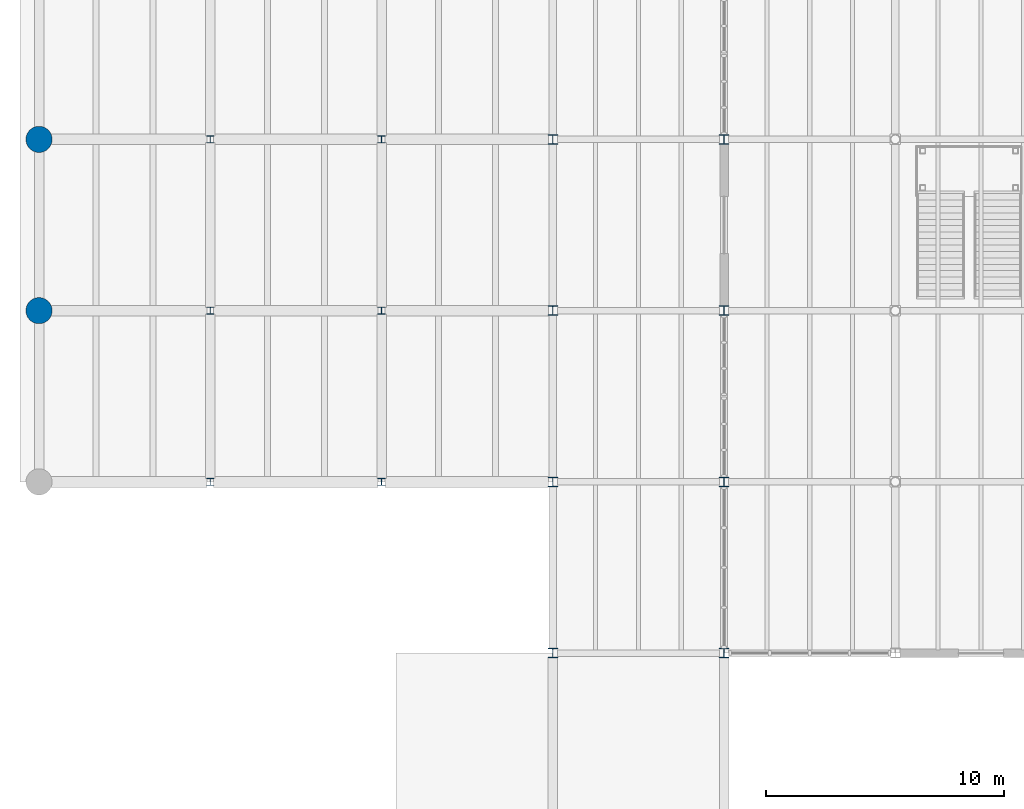
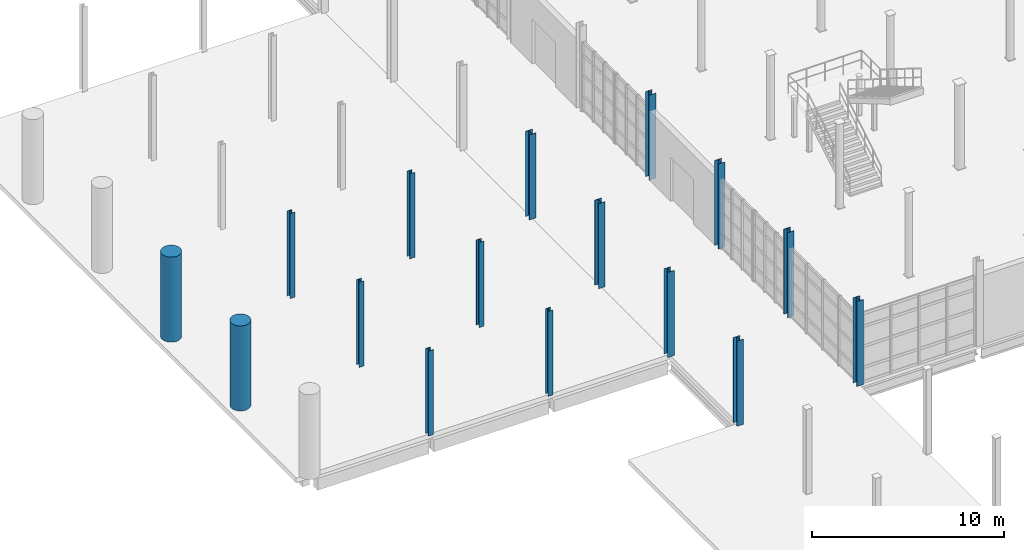
# One storey, part 3 of 79: 16 columns.
"""IFC4 building model written with IfcOpenShell, lengths in metres."""

import ifcopenshell
import ifcopenshell.guid

model = None  # the IFC model being written
_history = None  # IfcOwnerHistory: only IFC2X3 demands one
_inside = {}  # id of a spatial element -> (the spatial element, [elements in it])
_under = {}  # id of a project, library or spatial element -> (it, [spatial elements below it])
_declared = {}  # id of a project -> (the project, [libraries it declares])
_typed = {}  # id of a type object -> (the type object, [elements of that type])
_made_of = {}  # id of a material, layer set ... -> (it, [elements and type objects made of it])


def new_model(schema):
    """Start an empty IFC model of exactly this schema.

    Asked for "IFC4X3", IfcOpenShell would pick the latest addendum, in which some entities
    have other attributes; the version numbers below select the first issue.
    IFC2X3 requires an IfcOwnerHistory on every rooted entity: one is made here for all.
    """
    global model, _history
    if schema == "IFC4X3":
        model = ifcopenshell.file(schema_version=(4, 3, 0, 0))
    else:
        model = ifcopenshell.file(schema=schema)
    _inside.clear()
    _under.clear()
    _declared.clear()
    _typed.clear()
    _made_of.clear()
    _history = None
    if model.schema == "IFC2X3":
        org = make("IfcOrganization", Name="unknown")
        user = make(
            "IfcPersonAndOrganization",
            ThePerson=make("IfcPerson", FamilyName="unknown"),
            TheOrganization=org,
        )
        app = make(
            "IfcApplication",
            ApplicationDeveloper=org,
            Version="unknown",
            ApplicationFullName="unknown",
            ApplicationIdentifier="unknown",
        )
        _history = make(
            "IfcOwnerHistory",
            OwningUser=user,
            OwningApplication=app,
            ChangeAction="ADDED",
            CreationDate=0,
        )
    return model


def make(cls, **values):
    """One entity of the class cls with the attributes given. An attribute that is None is left unset."""
    return model.create_entity(
        cls, **{name: value for name, value in values.items() if value is not None}
    )


def rooted(cls, **values):
    """An entity with a GlobalId (a new one), such as an element, a storey or a relation."""
    return make(cls, GlobalId=ifcopenshell.guid.new(), OwnerHistory=_history, **values)


def si_unit(unit_type, name, prefix=None):
    """IfcSIUnit, for example si_unit("LENGTHUNIT", "METRE", prefix="MILLI")."""
    return make("IfcSIUnit", UnitType=unit_type, Prefix=prefix, Name=name)


def assignment(units):
    """IfcUnitAssignment: the units of a project."""
    return None if units is None else make("IfcUnitAssignment", Units=units)


def point(xyz):
    """IfcCartesianPoint."""
    return None if xyz is None else make("IfcCartesianPoint", Coordinates=xyz)


def direction(xyz):
    """IfcDirection."""
    return None if xyz is None else make("IfcDirection", DirectionRatios=xyz)


def frame(location, z_axis=None, x_axis=None):
    """IfcAxis2Placement3D, a coordinate frame: its origin and axes. An axis left out is left unset."""
    return make(
        "IfcAxis2Placement3D",
        Location=point(location),
        Axis=direction(z_axis),
        RefDirection=direction(x_axis),
    )


def frame_2d(location, x_axis=None):
    """IfcAxis2Placement2D, a coordinate frame in the plane: its origin and x axis."""
    return make(
        "IfcAxis2Placement2D", Location=point(location), RefDirection=direction(x_axis)
    )


def origin():
    """The frame at (0, 0, 0) with its axes left unset."""
    return frame((0.0, 0.0, 0.0))


def origin_2d():
    """The frame at (0, 0) in the plane with its x axis left unset."""
    return frame_2d((0.0, 0.0))


def place(relative_to, where):
    """IfcLocalPlacement: puts the frame where relative to a parent placement (None: the world)."""
    return make(
        "IfcLocalPlacement", PlacementRelTo=relative_to, RelativePlacement=where
    )


def context(
    kind, dimensions, precision=None, world=None, true_north=None, identifier=None
):
    """IfcGeometricRepresentationContext, for example the 3D "Model" context."""
    return make(
        "IfcGeometricRepresentationContext",
        ContextIdentifier=identifier,
        ContextType=kind,
        CoordinateSpaceDimension=dimensions,
        Precision=precision,
        WorldCoordinateSystem=world,
        TrueNorth=true_north,
    )


def subcontext(parent, identifier, kind, view, scale=None):
    """IfcGeometricRepresentationSubContext, for example "Body" below "Model"."""
    return make(
        "IfcGeometricRepresentationSubContext",
        ContextIdentifier=identifier,
        ContextType=kind,
        ParentContext=parent,
        TargetScale=scale,
        TargetView=view,
    )


def project(units=None, contexts=None):
    """IfcProject with its units and contexts."""
    return rooted(
        "IfcProject",
        Name="project",
        RepresentationContexts=contexts,
        UnitsInContext=assignment(units),
    )


def spatial(cls, under=None, at=None, **own):
    """A site, building, storey or space (cls), placed at a placement, below another one or the project."""
    s = rooted(cls, ObjectPlacement=at, **own)
    if under is not None:
        _under.setdefault(under.id(), (under, []))[1].append(s)
    return s


def profile(cls, at=None, kind="AREA", **sizes):
    """A parametric profile (cls). Its sizes go by their IFC names, for example OverallWidth=200.0."""
    return make(cls, ProfileType=kind, Position=at, **sizes)


def circle(**sizes):
    """IfcCircleProfileDef."""
    return profile("IfcCircleProfileDef", **sizes)


def i_section(**sizes):
    """IfcIShapeProfileDef."""
    return profile("IfcIShapeProfileDef", **sizes)


def extrude(swept, where, along, depth):
    """IfcExtrudedAreaSolid: the profile swept, set in the frame where, extruded along a direction by depth."""
    return make(
        "IfcExtrudedAreaSolid",
        SweptArea=swept,
        Position=where,
        ExtrudedDirection=direction(along),
        Depth=depth,
    )


def shape(context_of_items, identifier, shape_type, items):
    """IfcShapeRepresentation: the items that make up one representation, for example the "Body"."""
    return make(
        "IfcShapeRepresentation",
        ContextOfItems=context_of_items,
        RepresentationIdentifier=identifier,
        RepresentationType=shape_type,
        Items=items,
    )


def material(Name=None, Category=None):
    """IfcMaterial."""
    return make("IfcMaterial", Name=Name, Category=Category)


def material_profile(
    of_material, cross_section, Name=None, Category=None, Priority=None
):
    """IfcMaterialProfile: a cross section and its material."""
    return make(
        "IfcMaterialProfile",
        Name=Name,
        Material=of_material,
        Profile=cross_section,
        Priority=Priority,
        Category=Category,
    )


def profile_set(profiles, Name=None, composite=None):
    """IfcMaterialProfileSet."""
    return make(
        "IfcMaterialProfileSet",
        Name=Name,
        MaterialProfiles=profiles,
        CompositeProfile=composite,
    )


def made_of(thing, what):
    """Note that an element or type object is made of a material, layer set ...; save() writes the relation."""
    if what is not None:
        _made_of.setdefault(what.id(), (what, []))[1].append(thing)
    return thing


def type_object(cls, material=None, **own):
    """A type object (cls), such as IfcWallType, which elements share."""
    return made_of(rooted(cls, **own), material)


def element(
    cls,
    number,
    at=None,
    inside=None,
    cuts=None,
    type_object=None,
    material=None,
    context=None,
    identifier="Body",
    shape_type=None,
    held_by="IfcProductDefinitionShape",
    body=None,
    shapes=None,
    **own,
):
    """One element of the class cls, such as IfcWall. Its Tag is "e" and its number.

    at: its placement. inside: the storey or other place that contains it. cuts: it is an
    opening in that element (IfcRelVoidsElement). A single representation is given by context,
    identifier, shape_type and body (its items); several are given by shapes. held_by: the class
    of the entity that holds the representations. save() writes the other relations.
    """
    e = rooted(cls, Tag="e%d" % number, ObjectPlacement=at, **own)
    if body is not None:
        shapes = [shape(context, identifier, shape_type, body)]
    if shapes is not None:
        e.Representation = make(held_by, Representations=shapes)
    if inside is not None:
        _inside.setdefault(inside.id(), (inside, []))[1].append(e)
    if cuts is not None:
        rooted(
            "IfcRelVoidsElement", RelatingBuildingElement=cuts, RelatedOpeningElement=e
        )
    if type_object is not None:
        _typed.setdefault(type_object.id(), (type_object, []))[1].append(e)
    return made_of(e, material)


def aggregate(whole, parts):
    """IfcRelAggregates: a whole, such as a stair, and the parts it consists of."""
    return rooted("IfcRelAggregates", RelatingObject=whole, RelatedObjects=parts)


def save(model, path):
    """Write the relations noted so far, then the file.

    IfcRelAggregates (storeys below a building ...), IfcRelContainedInSpatialStructure (elements
    in a storey), IfcRelDefinesByType, IfcRelAssociatesMaterial and IfcRelDeclares: one each for
    every whole, place, type object, material and project.
    """
    for whole, parts in _under.values():
        aggregate(whole, parts)
    for where, things in _inside.values():
        rooted(
            "IfcRelContainedInSpatialStructure",
            RelatedElements=things,
            RelatingStructure=where,
        )
    for kind, things in _typed.values():
        rooted("IfcRelDefinesByType", RelatedObjects=things, RelatingType=kind)
    for what, things in _made_of.values():
        rooted("IfcRelAssociatesMaterial", RelatedObjects=things, RelatingMaterial=what)
    for by, libraries in _declared.values():
        rooted("IfcRelDeclares", RelatingContext=by, RelatedDefinitions=libraries)
    model.write(path)


model = new_model("IFC4")

# Units and contexts
model_context = context("Model", 3, precision=1e-05, world=origin(), true_north=direction((0.0, 1.0)))
body_context = subcontext(model_context, "Body", "Model", "MODEL_VIEW")
ifc_project = project(units=[si_unit("LENGTHUNIT", "METRE"), si_unit("AREAUNIT", "SQUARE_METRE"), si_unit("VOLUMEUNIT", "CUBIC_METRE"), si_unit("PLANEANGLEUNIT", "RADIAN"), si_unit("MASSUNIT", "GRAM", prefix="KILO")], contexts=[model_context])

# Site, building, storey
site_placement = place(None, origin())
site = spatial("IfcSite", under=ifc_project, at=site_placement, CompositionType="ELEMENT")
building_placement = place(site_placement, origin())
building = spatial("IfcBuilding", under=site, at=building_placement, Name="Qiaolan Assembly House", CompositionType="ELEMENT")
storey_placement = place(building_placement, origin())
storey = spatial("IfcBuildingStorey", under=building, at=storey_placement, Name="L00", CompositionType="ELEMENT", Elevation=0.0)

# Columns
ifc_material_1 = material(Name="Steel Q355B", Category="steel")
ifc_material_profile_1 = material_profile(ifc_material_1, i_section(OverallWidth=0.300048828125, OverallDepth=0.300048828125, WebThickness=0.010009765625, FlangeThickness=0.014892578125, FilletRadius=0.01806640625, at=origin_2d()), Name="HW 300x300x10x15")
ifc_profile_set_1 = profile_set([ifc_material_profile_1], Name="Steel Q355B")
column_type_1 = type_object("IfcColumnType", Name="COL-STL-HW300", PredefinedType="COLUMN", material=ifc_profile_set_1)
for number, where, z_axis, x_axis, name in (
    (1, (7.199951171875, 43.199951171875, 0.0), (0.0, 0.0, 1.0), (1.0, 0.0, 0.0), "SC-03 portico colonnade column L00"),
    (2, (7.199951171875, 50.39990234375, 0.0), (0.0, 0.0, 1.0), (1.0, 0.0, 0.0), "SC-03 portico colonnade column L00"),
    (3, (7.199951171875, 57.60009765625, 0.0), (0.0, 0.0, 1.0), (1.0, 0.0, 0.0), "SC-03 portico colonnade column L00"),
    (4, (14.39990234375, 43.199951171875, 0.0), (0.0, 0.0, 1.0), (1.0, 0.0, 0.0), "SC-03 portico colonnade column L00"),
    (5, (14.39990234375, 50.39990234375, 0.0), (0.0, 0.0, 1.0), (1.0, 0.0, 0.0), "SC-03 portico colonnade column L00"),
    (6, (14.39990234375, 57.60009765625, 0.0), (0.0, 0.0, 1.0), (1.0, 0.0, 0.0), "SC-03 portico colonnade column L00"),
):
    element("IfcColumn", number, at=place(storey_placement, frame(where, z_axis=z_axis, x_axis=x_axis)), inside=storey, type_object=column_type_1, Name=name, PredefinedType="COLUMN", context=body_context, shape_type="SweptSolid", body=[
        extrude(i_section(OverallWidth=0.300048828125, OverallDepth=0.300048828125, WebThickness=0.010009765625, FlangeThickness=0.014892578125, FilletRadius=0.01806640625, at=origin_2d()), origin(), (0.0, 0.0, 1.0), 5.39990234375),
    ])
ifc_material_profile_2 = material_profile(ifc_material_1, i_section(OverallWidth=0.39990234375, OverallDepth=0.39990234375, WebThickness=0.012939453125, FlangeThickness=0.02099609375, FilletRadius=0.02197265625, at=origin_2d()), Name="HW 400x400x13x21")
ifc_profile_set_2 = profile_set([ifc_material_profile_2], Name="Steel Q355B")
column_type_2 = type_object("IfcColumnType", Name="COL-STL-HW400", PredefinedType="COLUMN", material=ifc_profile_set_2)
for number, where, z_axis, x_axis, name in (
    (7, (21.60009765625, 36.0, 0.0), (0.0, 0.0, 1.0), (1.0, 0.0, 0.0), "SC-01 hall column L00"),
    (8, (21.60009765625, 43.199951171875, 0.0), (0.0, 0.0, 1.0), (1.0, 0.0, 0.0), "SC-01 hall column L00"),
    (9, (21.60009765625, 50.39990234375, 0.0), (0.0, 0.0, 1.0), (1.0, 0.0, 0.0), "SC-01 hall column L00"),
    (10, (21.60009765625, 57.60009765625, 0.0), (0.0, 0.0, 1.0), (1.0, 0.0, 0.0), "SC-01 hall column L00"),
    (11, (28.800048828125, 36.0, 0.0), (0.0, 0.0, 1.0), (1.0, 0.0, 0.0), "SC-01 hall column L00"),
    (12, (28.800048828125, 43.199951171875, 0.0), (0.0, 0.0, 1.0), (1.0, 0.0, 0.0), "SC-01 hall column L00"),
    (13, (28.800048828125, 50.39990234375, 0.0), (0.0, 0.0, 1.0), (1.0, 0.0, 0.0), "SC-01 hall column L00"),
    (14, (28.800048828125, 57.60009765625, 0.0), (0.0, 0.0, 1.0), (1.0, 0.0, 0.0), "SC-01 hall column L00"),
):
    element("IfcColumn", number, at=place(storey_placement, frame(where, z_axis=z_axis, x_axis=x_axis)), inside=storey, type_object=column_type_2, Name=name, PredefinedType="COLUMN", context=body_context, shape_type="SweptSolid", body=[
        extrude(i_section(OverallWidth=0.39990234375, OverallDepth=0.39990234375, WebThickness=0.012939453125, FlangeThickness=0.02099609375, FilletRadius=0.02197265625, at=origin_2d()), origin(), (0.0, 0.0, 1.0), 5.39990234375),
    ])
ifc_material_2 = material(Name="Precast concrete C50/60", Category="concrete")
ifc_material_profile_3 = material_profile(ifc_material_2, circle(Radius=0.550048828125, at=origin_2d()), Name="CIRC D1100")
ifc_profile_set_3 = profile_set([ifc_material_profile_3], Name="Precast concrete C50/60")
column_type_3 = type_object("IfcColumnType", Name="PIL-PORTICO-D1100", PredefinedType="PILASTER", material=ifc_profile_set_3)
for number, where, z_axis, x_axis, name in (
    (15, (0.0, 50.39990234375, 0.0), (0.0, 0.0, 1.0), (1.0, 0.0, 0.0), "PL-01 portico colonnade column L00"),
    (16, (0.0, 57.60009765625, 0.0), (0.0, 0.0, 1.0), (1.0, 0.0, 0.0), "PL-01 portico colonnade column L00"),
):
    element("IfcColumn", number, at=place(storey_placement, frame(where, z_axis=z_axis, x_axis=x_axis)), inside=storey, type_object=column_type_3, Name=name, PredefinedType="PILASTER", context=body_context, shape_type="SweptSolid", body=[
        extrude(circle(Radius=0.550048828125, at=origin_2d()), origin(), (0.0, 0.0, 1.0), 5.39990234375),
    ])

save(model, "model.ifc")
